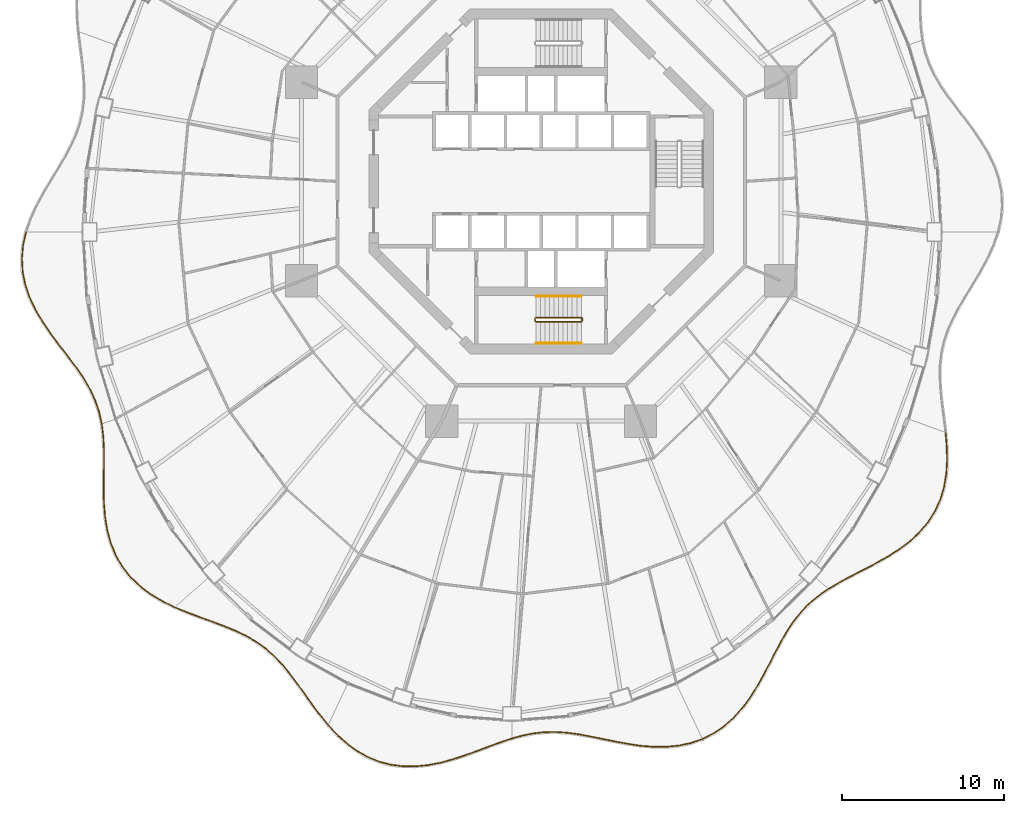
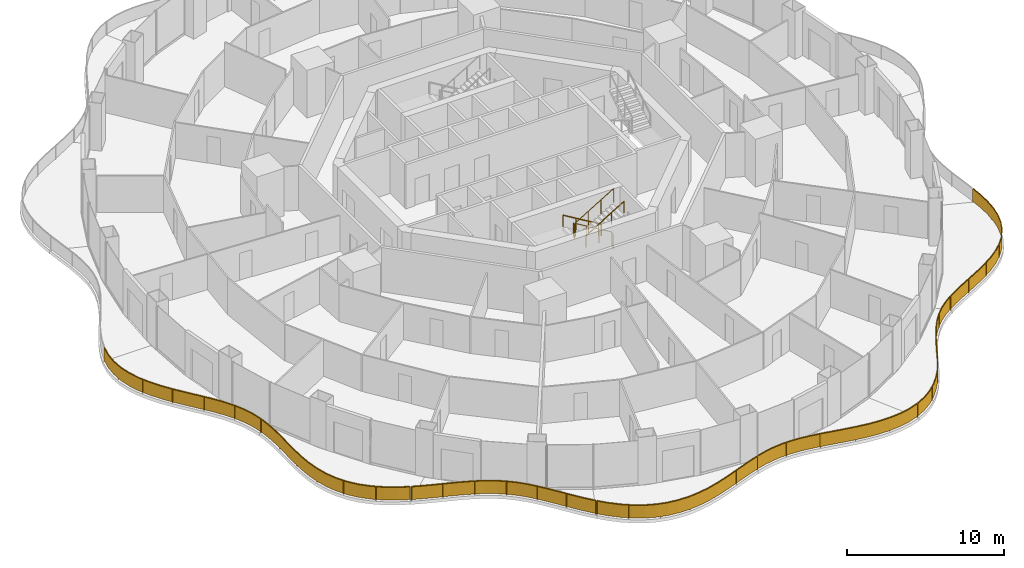
# One storey, part 18 of 20: 10 railings.
"""IFC4 building model written with IfcOpenShell, lengths in metres."""

from ifc_helpers import new_model, si_unit, direction, frame, origin, origin_2d, place, context, subcontext, project, spatial, polyline, rectangle, circle, outline, extrude, material, type_object, element, save


model = new_model("IFC4")

# Units and contexts
model_context = context("Model", 3, precision=1e-05, world=origin(), true_north=direction((0.0, 1.0)))
body_context = subcontext(model_context, "Body", "Model", "MODEL_VIEW")
ifc_project = project(units=[si_unit("LENGTHUNIT", "METRE"), si_unit("AREAUNIT", "SQUARE_METRE"), si_unit("VOLUMEUNIT", "CUBIC_METRE"), si_unit("PLANEANGLEUNIT", "RADIAN"), si_unit("MASSUNIT", "GRAM", prefix="KILO")], contexts=[model_context])

# Site, building, storey
site_placement = place(None, origin())
site = spatial("IfcSite", under=ifc_project, at=site_placement, CompositionType="ELEMENT")
building_placement = place(site_placement, origin())
building = spatial("IfcBuilding", under=site, at=building_placement, Name="Nagisa Residences", CompositionType="ELEMENT")
storey_placement = place(building_placement, frame((0.0, 0.0, 145.5)))
storey = spatial("IfcBuildingStorey", under=building, at=storey_placement, Name="L36", CompositionType="ELEMENT", Elevation=145.5)

# Railings
ifc_material_1 = material(Name="Stainless steel 316", Category="steel")
railing_type_1 = type_object("IfcRailingType", Name="BALCONY GUARD 1100", PredefinedType="BALUSTRADE", material=ifc_material_1)
railing_1_placement = place(storey_placement, frame((-31.771728515625, -3.155517578125, 0.0)))
element("IfcRailing", 1, at=railing_1_placement, inside=storey, type_object=railing_type_1, Name="guard:L36:bal08-0", PredefinedType="BALUSTRADE", context=body_context, shape_type="SweptSolid", body=[
    extrude(outline(polyline([(-0.1494140625, -0.776123046875), (0.0244140625, -0.005615234375), (-0.0244140625, 0.005615234375), (-0.19921875, -0.768310546875), (-0.271484375, -1.5927734375), (-0.22607421875, -2.414306640625), (-0.0634765625, -3.22607421875), (0.208740234375, -4.021728515625), (0.575439453125, -4.78271484375), (1.02001953125, -5.533935546875), (1.51806640625, -6.260986328125), (2.04345703125, -6.966064453125), (2.57080078125, -7.6533203125), (3.0712890625, -8.3154296875), (3.52978515625, -8.98779296875), (3.92578125, -9.665283203125), (4.24755859375, -10.3564453125), (4.490234375, -11.070068359375), (4.646484375, -11.77197265625), (4.6953125, -11.76123046875), (4.53857421875, -11.056396484375), (4.2939453125, -10.337890625), (3.97021484375, -9.641845703125), (3.572265625, -8.9609375), (3.11181640625, -8.2861328125), (2.61083984375, -7.623046875), (2.08349609375, -6.935791015625), (1.55859375, -6.231689453125), (1.06201171875, -5.507080078125), (0.619384765625, -4.75927734375), (0.255126953125, -4.002685546875), (-0.01513671875, -3.212890625), (-0.17626953125, -2.407958984375), (-0.22119140625, -1.59375), (-0.1494140625, -0.776123046875)])), frame((0.0, 0.0, 1.050048828125)), (0.0, 0.0, 1.0), 0.050048828125),
    extrude(outline(polyline([(-0.16748046875, -0.773193359375), (0.0068359375, -0.00146484375), (-0.0068359375, 0.00146484375), (-0.18115234375, -0.771240234375), (-0.25341796875, -1.59326171875), (-0.208251953125, -2.412109375), (-0.046142578125, -3.22119140625), (0.225341796875, -4.014892578125), (0.59130859375, -4.7744140625), (1.03515625, -5.524169921875), (1.53271484375, -6.25048828125), (2.057861328125, -6.955078125), (2.585205078125, -7.642333984375), (3.0859375, -8.304931640625), (3.545166015625, -8.97802734375), (3.94189453125, -9.65673828125), (4.26416015625, -10.349853515625), (4.507568359375, -11.065185546875), (4.6640625, -11.76806640625), (4.677734375, -11.76513671875), (4.521240234375, -11.061279296875), (4.27734375, -10.344482421875), (3.9541015625, -9.650390625), (3.556884765625, -8.970703125), (3.09716796875, -8.296630859375), (2.596435546875, -7.634033203125), (2.069091796875, -6.94677734375), (1.5439453125, -6.2421875), (1.046875, -5.516845703125), (0.603515625, -4.767578125), (0.238525390625, -4.009521484375), (-0.032470703125, -3.2177734375), (-0.194091796875, -2.41015625), (-0.2392578125, -1.59326171875), (-0.16748046875, -0.773193359375)])), frame((0.0, 0.0, 0.06005859375)), (0.0, 0.0, 1.0), 0.989990234375),
    extrude(rectangle(XDim=0.0400390625, YDim=0.0400390625, at=origin_2d()), origin(), (0.0, 0.0, 1.0), 1.050048828125),
    extrude(rectangle(XDim=0.0400390625, YDim=0.0400390625, at=origin_2d()), frame((-0.21484375, -2.16162109375, 0.0)), (0.0, 0.0, 1.0), 1.050048828125),
    extrude(rectangle(XDim=0.0400390625, YDim=0.0400390625, at=origin_2d()), frame((0.350341796875, -4.2578125, 0.0)), (0.0, 0.0, 1.0), 1.050048828125),
    extrude(rectangle(XDim=0.0400390625, YDim=0.0400390625, at=origin_2d()), frame((1.4619140625, -6.134765625, 0.0)), (0.0, 0.0, 1.0), 1.050048828125),
    extrude(rectangle(XDim=0.0400390625, YDim=0.0400390625, at=origin_2d()), frame((2.7744140625, -7.881103515625, 0.0)), (0.0, 0.0, 1.0), 1.050048828125),
    extrude(rectangle(XDim=0.0400390625, YDim=0.0400390625, at=origin_2d()), frame((3.971923828125, -9.705322265625, 0.0)), (0.0, 0.0, 1.0), 1.050048828125),
    extrude(rectangle(XDim=0.0400390625, YDim=0.0400390625, at=origin_2d()), frame((4.6708984375, -11.7666015625, 0.0)), (0.0, 0.0, 1.0), 1.050048828125),
])
railing_2_placement = place(storey_placement, frame((-27.090576171875, -14.991455078125, 0.0)))
element("IfcRailing", 2, at=railing_2_placement, inside=storey, type_object=railing_type_1, Name="guard:L36:bal09-0", PredefinedType="BALUSTRADE", context=body_context, shape_type="SweptSolid", body=[
    extrude(outline(polyline([(0.11279296875, -0.7080078125), (0.02490234375, 0.003173828125), (-0.02490234375, -0.003173828125), (0.06298828125, -0.71240234375), (0.103515625, -1.493896484375), (0.107666015625, -2.30517578125), (0.09619140625, -3.140625), (0.08984375, -3.99267578125), (0.104736328125, -4.837890625), (0.1748046875, -5.690673828125), (0.3115234375, -6.52392578125), (0.52978515625, -7.3251953125), (0.83935546875, -8.08154296875), (1.23681640625, -8.771240234375), (1.73583984375, -9.40771484375), (2.323974609375, -9.977294921875), (2.9892578125, -10.47802734375), (3.716552734375, -10.914306640625), (4.447998046875, -11.2705078125), (4.469970703125, -11.2255859375), (3.740478515625, -10.870361328125), (3.01708984375, -10.4365234375), (2.356689453125, -9.939208984375), (1.77294921875, -9.3740234375), (1.2783203125, -8.742919921875), (0.88427734375, -8.0595703125), (0.5771484375, -7.30908203125), (0.3603515625, -6.51318359375), (0.224609375, -5.684326171875), (0.154541015625, -4.83544921875), (0.14013671875, -3.9921875), (0.14599609375, -3.14111328125), (0.157958984375, -2.30517578125), (0.1533203125, -1.492431640625), (0.11279296875, -0.7080078125)])), frame((0.0, 0.0, 1.050048828125)), (0.0, 0.0, 1.0), 0.050048828125),
    extrude(outline(polyline([(0.094970703125, -0.70947265625), (0.0068359375, 0.0009765625), (-0.0068359375, -0.0009765625), (0.080810546875, -0.7109375), (0.121337890625, -1.493408203125), (0.125732421875, -2.30517578125), (0.114013671875, -3.140869140625), (0.10791015625, -3.992431640625), (0.12255859375, -4.8369140625), (0.19287109375, -5.6884765625), (0.3291015625, -6.52001953125), (0.546875, -7.3193359375), (0.85546875, -8.07373046875), (1.251708984375, -8.760986328125), (1.749267578125, -9.3955078125), (2.335693359375, -9.963623046875), (2.999267578125, -10.463134765625), (3.72509765625, -10.8984375), (4.455810546875, -11.25439453125), (4.462158203125, -11.24169921875), (3.73193359375, -10.88623046875), (3.007080078125, -10.451416015625), (2.344970703125, -9.952880859375), (1.759521484375, -9.38623046875), (1.263427734375, -8.753173828125), (0.8681640625, -8.0673828125), (0.56005859375, -7.31494140625), (0.3427734375, -6.51708984375), (0.20654296875, -5.6865234375), (0.13671875, -4.83642578125), (0.1220703125, -3.992431640625), (0.128173828125, -3.140869140625), (0.139892578125, -2.30517578125), (0.135498046875, -1.492919921875), (0.094970703125, -0.70947265625)])), frame((0.0, 0.0, 0.06005859375)), (0.0, 0.0, 1.0), 0.989990234375),
    extrude(rectangle(XDim=0.0400390625, YDim=0.0400390625, at=origin_2d()), origin(), (0.0, 0.0, 1.0), 1.050048828125),
    extrude(rectangle(XDim=0.0400390625, YDim=0.0400390625, at=origin_2d()), frame((0.132080078125, -2.173828125, 0.0)), (0.0, 0.0, 1.0), 1.050048828125),
    extrude(rectangle(XDim=0.0400390625, YDim=0.0400390625, at=origin_2d()), frame((0.121337890625, -4.354248046875, 0.0)), (0.0, 0.0, 1.0), 1.050048828125),
    extrude(rectangle(XDim=0.0400390625, YDim=0.0400390625, at=origin_2d()), frame((0.33642578125, -6.5205078125, 0.0)), (0.0, 0.0, 1.0), 1.050048828125),
    extrude(rectangle(XDim=0.0400390625, YDim=0.0400390625, at=origin_2d()), frame((1.1318359375, -8.538818359375, 0.0)), (0.0, 0.0, 1.0), 1.050048828125),
    extrude(rectangle(XDim=0.0400390625, YDim=0.0400390625, at=origin_2d()), frame((2.586181640625, -10.143310546875, 0.0)), (0.0, 0.0, 1.0), 1.050048828125),
    extrude(rectangle(XDim=0.0400390625, YDim=0.0400390625, at=origin_2d()), frame((4.458984375, -11.248046875, 0.0)), (0.0, 0.0, 1.0), 1.050048828125),
])
railing_3_placement = place(storey_placement, frame((-22.560791015625, -26.270263671875, 0.0)))
element("IfcRailing", 3, at=railing_3_placement, inside=storey, type_object=railing_type_1, Name="guard:L36:bal10-0", PredefinedType="BALUSTRADE", context=body_context, shape_type="SweptSolid", body=[
    extrude(outline(polyline([(0.726806640625, -0.274658203125), (0.009521484375, 0.023193359375), (-0.009521484375, -0.023193359375), (0.708251953125, -0.321044921875), (1.474609375, -0.610107421875), (2.232421875, -0.884033203125), (2.967529296875, -1.15771484375), (3.66943359375, -1.446044921875), (4.318359375, -1.751953125), (4.93505859375, -2.1083984375), (5.50732421875, -2.513671875), (6.0390625, -2.972900390625), (6.537353515625, -3.4873046875), (6.997802734375, -4.045166015625), (7.458984375, -4.65673828125), (7.919921875, -5.301513671875), (8.3916015625, -5.96435546875), (8.88623046875, -6.627685546875), (9.380859375, -7.2373046875), (9.419921875, -7.20556640625), (8.92578125, -6.596923828125), (8.43212890625, -5.93505859375), (7.96044921875, -5.272216796875), (7.49951171875, -4.626953125), (7.036865234375, -4.013916015625), (6.574462890625, -3.4541015625), (6.0732421875, -2.936279296875), (5.5380859375, -2.47412109375), (4.9619140625, -2.06640625), (4.341796875, -1.70751953125), (3.689453125, -1.400146484375), (2.985595703125, -1.111328125), (2.24951171875, -0.837158203125), (1.4921875, -0.563232421875), (0.726806640625, -0.274658203125)])), frame((0.0, 0.0, 1.050048828125)), (0.0, 0.0, 1.0), 0.050048828125),
    extrude(outline(polyline([(0.72021484375, -0.291259765625), (0.002685546875, 0.00634765625), (-0.002685546875, -0.00634765625), (0.71484375, -0.304443359375), (1.48095703125, -0.59326171875), (2.238525390625, -0.8671875), (2.97412109375, -1.14111328125), (3.676513671875, -1.429443359375), (4.326904296875, -1.73583984375), (4.94482421875, -2.09326171875), (5.518310546875, -2.49951171875), (6.05126953125, -2.959716796875), (6.55078125, -3.475341796875), (7.01171875, -4.033935546875), (7.4736328125, -4.64599609375), (7.9345703125, -5.291015625), (8.40625, -5.953857421875), (8.900390625, -6.61669921875), (9.39501953125, -7.225830078125), (9.40576171875, -7.217041015625), (8.91162109375, -6.60791015625), (8.41748046875, -5.945556640625), (7.94580078125, -5.28271484375), (7.48486328125, -4.6376953125), (7.02294921875, -4.025146484375), (6.56103515625, -3.466064453125), (6.06103515625, -2.949462890625), (5.527099609375, -2.48828125), (4.9521484375, -2.08154296875), (4.333251953125, -1.7236328125), (3.682373046875, -1.416748046875), (2.97900390625, -1.1279296875), (2.243408203125, -0.85400390625), (1.48583984375, -0.580078125), (0.72021484375, -0.291259765625)])), frame((0.0, 0.0, 0.06005859375)), (0.0, 0.0, 1.0), 0.989990234375),
    extrude(rectangle(XDim=0.0400390625, YDim=0.0400390625, at=origin_2d()), origin(), (0.0, 0.0, 1.0), 1.050048828125),
    extrude(rectangle(XDim=0.0400390625, YDim=0.0400390625, at=origin_2d()), frame((1.897705078125, -0.736328125, 0.0)), (0.0, 0.0, 1.0), 1.050048828125),
    extrude(rectangle(XDim=0.0400390625, YDim=0.0400390625, at=origin_2d()), frame((3.79345703125, -1.476806640625, 0.0)), (0.0, 0.0, 1.0), 1.050048828125),
    extrude(rectangle(XDim=0.0400390625, YDim=0.0400390625, at=origin_2d()), frame((5.54150390625, -2.510009765625, 0.0)), (0.0, 0.0, 1.0), 1.050048828125),
    extrude(rectangle(XDim=0.0400390625, YDim=0.0400390625, at=origin_2d()), frame((6.961669921875, -3.962158203125, 0.0)), (0.0, 0.0, 1.0), 1.050048828125),
    extrude(rectangle(XDim=0.0400390625, YDim=0.0400390625, at=origin_2d()), frame((8.16552734375, -5.603515625, 0.0)), (0.0, 0.0, 1.0), 1.050048828125),
    extrude(rectangle(XDim=0.0400390625, YDim=0.0400390625, at=origin_2d()), frame((9.400390625, -7.221435546875, 0.0)), (0.0, 0.0, 1.0), 1.050048828125),
])
railing_4_placement = place(storey_placement, frame((-13.110595703125, -33.55078125, 0.0)))
element("IfcRailing", 4, at=railing_4_placement, inside=storey, type_object=railing_type_1, Name="guard:L36:bal11-0", PredefinedType="BALUSTRADE", context=body_context, shape_type="SweptSolid", body=[
    extrude(outline(polyline([(0.527587890625, -0.53369140625), (0.018310546875, 0.01708984375), (-0.018310546875, -0.01708984375), (0.492431640625, -0.5693359375), (1.078125, -1.101318359375), (1.706298828125, -1.5654296875), (2.375732421875, -1.948486328125), (3.08251953125, -2.2412109375), (3.8046875, -2.433349609375), (4.567626953125, -2.53369140625), (5.346923828125, -2.54150390625), (6.1337890625, -2.464111328125), (6.919921875, -2.313232421875), (7.680908203125, -2.101806640625), (8.445556640625, -1.8525390625), (9.193603515625, -1.580810546875), (9.922607421875, -1.30615234375), (10.6328125, -1.046630859375), (11.284423828125, -0.830322265625), (11.268798828125, -0.782958984375), (10.6162109375, -0.999267578125), (9.905029296875, -1.25927734375), (9.176025390625, -1.533935546875), (8.429443359375, -1.80517578125), (7.666259765625, -2.053955078125), (6.90869140625, -2.264404296875), (6.12646484375, -2.414306640625), (5.344482421875, -2.4912109375), (4.571044921875, -2.48388671875), (3.814453125, -2.384033203125), (3.0986328125, -2.19384765625), (2.397705078125, -1.903564453125), (1.733642578125, -1.5234375), (1.10986328125, -1.062744140625), (0.527587890625, -0.53369140625)])), frame((0.0, 0.0, 1.050048828125)), (0.0, 0.0, 1.0), 0.050048828125),
    extrude(outline(polyline([(0.514892578125, -0.546630859375), (0.005126953125, 0.004638671875), (-0.005126953125, -0.004638671875), (0.505126953125, -0.556396484375), (1.089599609375, -1.08740234375), (1.716064453125, -1.55029296875), (2.383544921875, -1.932373046875), (3.08837890625, -2.22412109375), (3.80810546875, -2.41552734375), (4.56884765625, -2.515869140625), (5.345947265625, -2.5234375), (6.131103515625, -2.446044921875), (6.916015625, -2.295654296875), (7.675537109375, -2.08447265625), (8.439697265625, -1.83544921875), (9.187255859375, -1.56396484375), (9.916259765625, -1.289306640625), (10.626708984375, -1.029541015625), (11.27880859375, -0.813232421875), (11.2744140625, -0.800048828125), (10.622314453125, -1.016357421875), (9.911376953125, -1.276123046875), (9.182373046875, -1.55078125), (8.435302734375, -1.822265625), (7.671630859375, -2.0712890625), (6.91259765625, -2.281982421875), (6.129150390625, -2.432373046875), (5.345458984375, -2.50927734375), (4.56982421875, -2.501708984375), (3.81103515625, -2.40185546875), (3.0927734375, -2.2109375), (2.389892578125, -1.919677734375), (1.723876953125, -1.53857421875), (1.098388671875, -1.07666015625), (0.514892578125, -0.546630859375)])), frame((0.0, 0.0, 0.06005859375)), (0.0, 0.0, 1.0), 0.989990234375),
    extrude(rectangle(XDim=0.0400390625, YDim=0.0400390625, at=origin_2d()), origin(), (0.0, 0.0, 1.0), 1.050048828125),
    extrude(rectangle(XDim=0.0400390625, YDim=0.0400390625, at=origin_2d()), frame((1.50830078125, -1.387939453125, 0.0)), (0.0, 0.0, 1.0), 1.050048828125),
    extrude(rectangle(XDim=0.0400390625, YDim=0.0400390625, at=origin_2d()), frame((3.34375, -2.284912109375, 0.0)), (0.0, 0.0, 1.0), 1.050048828125),
    extrude(rectangle(XDim=0.0400390625, YDim=0.0400390625, at=origin_2d()), frame((5.3759765625, -2.513427734375, 0.0)), (0.0, 0.0, 1.0), 1.050048828125),
    extrude(rectangle(XDim=0.0400390625, YDim=0.0400390625, at=origin_2d()), frame((7.39501953125, -2.1552734375, 0.0)), (0.0, 0.0, 1.0), 1.050048828125),
    extrude(rectangle(XDim=0.0400390625, YDim=0.0400390625, at=origin_2d()), frame((9.341552734375, -1.498291015625, 0.0)), (0.0, 0.0, 1.0), 1.050048828125),
    extrude(rectangle(XDim=0.0400390625, YDim=0.0400390625, at=origin_2d()), frame((11.276611328125, -0.806640625, 0.0)), (0.0, 0.0, 1.0), 1.050048828125),
])
railing_5_placement = place(storey_placement, frame((-1.765380859375, -34.33447265625, 0.0)))
element("IfcRailing", 5, at=railing_5_placement, inside=storey, type_object=railing_type_1, Name="guard:L36:bal12-0", PredefinedType="BALUSTRADE", context=body_context, shape_type="SweptSolid", body=[
    extrude(outline(polyline([(0.63427734375, 0.1982421875), (-0.006591796875, 0.024169921875), (0.006591796875, -0.024169921875), (0.6455078125, 0.1494140625), (1.320556640625, 0.27978515625), (1.995361328125, 0.350830078125), (2.676025390625, 0.361572265625), (3.368896484375, 0.31640625), (4.060546875, 0.2197265625), (4.7900390625, 0.0888671875), (5.539794921875, -0.06396484375), (6.309326171875, -0.222412109375), (7.09521484375, -0.367431640625), (7.875, -0.486328125), (8.675048828125, -0.551513671875), (9.469482421875, -0.55322265625), (10.2490234375, -0.47802734375), (11.00390625, -0.318115234375), (11.67919921875, -0.08447265625), (11.66259765625, -0.037109375), (10.99072265625, -0.269775390625), (10.2412109375, -0.4287109375), (9.467041015625, -0.5029296875), (8.677001953125, -0.501708984375), (7.880859375, -0.4365234375), (7.103515625, -0.318115234375), (6.319091796875, -0.173095703125), (5.550048828125, -0.01513671875), (4.79931640625, 0.13818359375), (4.068359375, 0.26904296875), (3.373779296875, 0.3662109375), (2.677490234375, 0.411865234375), (1.992431640625, 0.400634765625), (1.313232421875, 0.3291015625), (0.63427734375, 0.1982421875)])), frame((0.0, 0.0, 1.050048828125)), (0.0, 0.0, 1.0), 0.050048828125),
    extrude(outline(polyline([(0.638427734375, 0.1806640625), (-0.001953125, 0.0068359375), (0.001953125, -0.0068359375), (0.641357421875, 0.1669921875), (1.31787109375, 0.297607421875), (1.994384765625, 0.36865234375), (2.676513671875, 0.379638671875), (3.37060546875, 0.334228515625), (4.063232421875, 0.237548828125), (4.79345703125, 0.106689453125), (5.54345703125, -0.04638671875), (6.31298828125, -0.20458984375), (7.09814453125, -0.349609375), (7.877197265625, -0.46826171875), (8.67578125, -0.53369140625), (9.468505859375, -0.53515625), (10.24609375, -0.460205078125), (10.999267578125, -0.30078125), (11.673095703125, -0.0673828125), (11.668701171875, -0.05419921875), (10.995361328125, -0.287109375), (10.244140625, -0.446533203125), (9.468017578125, -0.52099609375), (8.67626953125, -0.51953125), (7.878662109375, -0.45458984375), (7.1005859375, -0.3359375), (6.3154296875, -0.19091796875), (5.54638671875, -0.03271484375), (4.7958984375, 0.120361328125), (4.065673828125, 0.251220703125), (3.3720703125, 0.348388671875), (2.677001953125, 0.393798828125), (1.993408203125, 0.3828125), (1.31591796875, 0.311279296875), (0.638427734375, 0.1806640625)])), frame((0.0, 0.0, 0.06005859375)), (0.0, 0.0, 1.0), 0.989990234375),
    extrude(rectangle(XDim=0.0400390625, YDim=0.0400390625, at=origin_2d()), origin(), (0.0, 0.0, 1.0), 1.050048828125),
    extrude(rectangle(XDim=0.0400390625, YDim=0.0400390625, at=origin_2d()), frame((2.329833984375, 0.381103515625, 0.0)), (0.0, 0.0, 1.0), 1.050048828125),
    extrude(rectangle(XDim=0.0400390625, YDim=0.0400390625, at=origin_2d()), frame((4.680908203125, 0.1337890625, 0.0)), (0.0, 0.0, 1.0), 1.050048828125),
    extrude(rectangle(XDim=0.0400390625, YDim=0.0400390625, at=origin_2d()), frame((7.005126953125, -0.325439453125, 0.0)), (0.0, 0.0, 1.0), 1.050048828125),
    extrude(rectangle(XDim=0.0400390625, YDim=0.0400390625, at=origin_2d()), frame((9.361083984375, -0.52783203125, 0.0)), (0.0, 0.0, 1.0), 1.050048828125),
    extrude(rectangle(XDim=0.0400390625, YDim=0.0400390625, at=origin_2d()), frame((11.6708984375, -0.060791015625, 0.0)), (0.0, 0.0, 1.0), 1.050048828125),
])
railing_6_placement = place(storey_placement, frame((9.976806640625, -34.365234375, 0.0)))
element("IfcRailing", 6, at=railing_6_placement, inside=storey, type_object=railing_type_1, Name="guard:L36:bal13-0", PredefinedType="BALUSTRADE", context=body_context, shape_type="SweptSolid", body=[
    extrude(outline(polyline([(0.646240234375, 0.35400390625), (-0.01123046875, 0.0224609375), (0.01123046875, -0.0224609375), (0.671630859375, 0.31103515625), (1.324462890625, 0.759765625), (1.922119140625, 1.293212890625), (2.4638671875, 1.89892578125), (2.95166015625, 2.560791015625), (3.380615234375, 3.25341796875), (3.784912109375, 3.97509765625), (4.163330078125, 4.699951171875), (4.529052734375, 5.410888671875), (4.895751953125, 6.093505859375), (5.265380859375, 6.72607421875), (5.67431640625, 7.322021484375), (6.12158203125, 7.86767578125), (6.61474609375, 8.363037109375), (7.158203125, 8.81298828125), (7.717529296875, 9.19970703125), (7.689208984375, 9.24072265625), (7.1279296875, 8.85302734375), (6.5810546875, 8.400146484375), (6.08447265625, 7.9013671875), (5.63427734375, 7.352294921875), (5.222900390625, 6.7529296875), (4.852294921875, 6.117919921875), (4.484619140625, 5.434326171875), (4.118896484375, 4.722900390625), (3.740966796875, 3.9990234375), (3.337646484375, 3.27880859375), (2.91015625, 2.588623046875), (2.4248046875, 1.9306640625), (1.886474609375, 1.328857421875), (1.293701171875, 0.79931640625), (0.646240234375, 0.35400390625)])), frame((0.0, 0.0, 1.050048828125)), (0.0, 0.0, 1.0), 0.050048828125),
    extrude(outline(polyline([(0.6552734375, 0.338623046875), (-0.003173828125, 0.00634765625), (0.003173828125, -0.00634765625), (0.66259765625, 0.326416015625), (1.3134765625, 0.77392578125), (1.9091796875, 1.30615234375), (2.44970703125, 1.910400390625), (2.936767578125, 2.57080078125), (3.365234375, 3.262451171875), (3.76904296875, 3.983642578125), (4.147216796875, 4.708251953125), (4.512939453125, 5.41943359375), (4.880126953125, 6.102294921875), (5.25, 6.73583984375), (5.659912109375, 7.3330078125), (6.108154296875, 7.8798828125), (6.6025390625, 8.37646484375), (7.147216796875, 8.827392578125), (7.707275390625, 9.21435546875), (7.699462890625, 9.22607421875), (7.138916015625, 8.838623046875), (6.59326171875, 8.38671875), (6.097900390625, 7.88916015625), (5.648681640625, 7.34130859375), (5.23828125, 6.7431640625), (4.867919921875, 6.109130859375), (4.500732421875, 5.42578125), (4.135009765625, 4.714599609375), (3.7568359375, 3.990478515625), (3.35302734375, 3.269775390625), (2.925048828125, 2.57861328125), (2.43896484375, 1.919189453125), (1.8994140625, 1.31591796875), (1.3046875, 0.78515625), (0.6552734375, 0.338623046875)])), frame((0.0, 0.0, 0.06005859375)), (0.0, 0.0, 1.0), 0.989990234375),
    extrude(rectangle(XDim=0.0400390625, YDim=0.0400390625, at=origin_2d()), origin(), (0.0, 0.0, 1.0), 1.050048828125),
    extrude(rectangle(XDim=0.0400390625, YDim=0.0400390625, at=origin_2d()), frame((1.692138671875, 1.12158203125, 0.0)), (0.0, 0.0, 1.0), 1.050048828125),
    extrude(rectangle(XDim=0.0400390625, YDim=0.0400390625, at=origin_2d()), frame((2.997314453125, 2.68212890625, 0.0)), (0.0, 0.0, 1.0), 1.050048828125),
    extrude(rectangle(XDim=0.0400390625, YDim=0.0400390625, at=origin_2d()), frame((4.007080078125, 4.45458984375, 0.0)), (0.0, 0.0, 1.0), 1.050048828125),
    extrude(rectangle(XDim=0.0400390625, YDim=0.0400390625, at=origin_2d()), frame((4.962646484375, 6.25732421875, 0.0)), (0.0, 0.0, 1.0), 1.050048828125),
    extrude(rectangle(XDim=0.0400390625, YDim=0.0400390625, at=origin_2d()), frame((6.137939453125, 7.919677734375, 0.0)), (0.0, 0.0, 1.0), 1.050048828125),
    extrude(rectangle(XDim=0.0400390625, YDim=0.0400390625, at=origin_2d()), frame((7.703369140625, 9.22021484375, 0.0)), (0.0, 0.0, 1.0), 1.050048828125),
])
railing_7_placement = place(storey_placement, frame((17.741943359375, -25.10791015625, 0.0)))
element("IfcRailing", 7, at=railing_7_placement, inside=storey, type_object=railing_type_1, Name="guard:L36:bal14-0", PredefinedType="BALUSTRADE", context=body_context, shape_type="SweptSolid", body=[
    extrude(outline(polyline([(0.6259765625, 0.40087890625), (-0.0126953125, 0.021484375), (0.0126953125, -0.021484375), (0.650390625, 0.357421875), (1.366943359375, 0.741943359375), (2.1123046875, 1.12451171875), (2.869873046875, 1.520263671875), (3.6201171875, 1.943359375), (4.333740234375, 2.3935546875), (5.00830078125, 2.9052734375), (5.61572265625, 3.47216796875), (6.141357421875, 4.09716796875), (6.572509765625, 4.779296875), (6.897216796875, 5.500244140625), (7.12744140625, 6.279541015625), (7.261474609375, 7.09375), (7.310302734375, 7.932373046875), (7.288818359375, 8.7841796875), (7.218017578125, 9.592529296875), (7.168212890625, 9.588134765625), (7.239013671875, 8.78125), (7.260009765625, 7.933349609375), (7.211669921875, 7.09912109375), (7.07861328125, 6.290771484375), (6.850341796875, 5.517822265625), (6.528564453125, 4.80322265625), (6.100830078125, 4.126953125), (5.57958984375, 3.5068359375), (4.97607421875, 2.943359375), (4.305419921875, 2.4345703125), (3.59423828125, 1.986328125), (2.845947265625, 1.564208984375), (2.08935546875, 1.1689453125), (1.343505859375, 0.786376953125), (0.6259765625, 0.40087890625)])), frame((0.0, 0.0, 1.050048828125)), (0.0, 0.0, 1.0), 0.050048828125),
    extrude(outline(polyline([(0.634765625, 0.38525390625), (-0.003662109375, 0.006103515625), (0.003662109375, -0.006103515625), (0.6416015625, 0.373046875), (1.3583984375, 0.758056640625), (2.10400390625, 1.140625), (2.861328125, 1.5361328125), (3.61083984375, 1.958740234375), (4.323486328125, 2.408203125), (4.99658203125, 2.9189453125), (5.602783203125, 3.484619140625), (6.126708984375, 4.10791015625), (6.556640625, 4.787841796875), (6.88037109375, 5.506591796875), (7.10986328125, 6.28369140625), (7.24365234375, 7.095703125), (7.292236328125, 7.932861328125), (7.27099609375, 8.783203125), (7.2001953125, 9.591064453125), (7.18603515625, 9.589599609375), (7.2568359375, 8.7822265625), (7.278076171875, 7.932861328125), (7.2294921875, 7.09716796875), (7.09619140625, 6.28662109375), (6.8671875, 5.511474609375), (6.54443359375, 4.794677734375), (6.115478515625, 4.1162109375), (5.592529296875, 3.494384765625), (4.98779296875, 2.9296875), (4.315673828125, 2.419921875), (3.603515625, 1.970947265625), (2.8544921875, 1.54833984375), (2.09765625, 1.15283203125), (1.35205078125, 0.770263671875), (0.634765625, 0.38525390625)])), frame((0.0, 0.0, 0.06005859375)), (0.0, 0.0, 1.0), 0.989990234375),
    extrude(rectangle(XDim=0.0400390625, YDim=0.0400390625, at=origin_2d()), origin(), (0.0, 0.0, 1.0), 1.050048828125),
    extrude(rectangle(XDim=0.0400390625, YDim=0.0400390625, at=origin_2d()), frame((1.921875, 1.054931640625, 0.0)), (0.0, 0.0, 1.0), 1.050048828125),
    extrude(rectangle(XDim=0.0400390625, YDim=0.0400390625, at=origin_2d()), frame((3.841796875, 2.11279296875, 0.0)), (0.0, 0.0, 1.0), 1.050048828125),
    extrude(rectangle(XDim=0.0400390625, YDim=0.0400390625, at=origin_2d()), frame((5.565185546875, 3.459228515625, 0.0)), (0.0, 0.0, 1.0), 1.050048828125),
    extrude(rectangle(XDim=0.0400390625, YDim=0.0400390625, at=origin_2d()), frame((6.768798828125, 5.27587890625, 0.0)), (0.0, 0.0, 1.0), 1.050048828125),
    extrude(rectangle(XDim=0.0400390625, YDim=0.0400390625, at=origin_2d()), frame((7.25439453125, 7.401611328125, 0.0)), (0.0, 0.0, 1.0), 1.050048828125),
    extrude(rectangle(XDim=0.0400390625, YDim=0.0400390625, at=origin_2d()), frame((7.193115234375, 9.59033203125, 0.0)), (0.0, 0.0, 1.0), 1.050048828125),
])
ifc_material_2 = material(Name="Stainless steel", Category="steel")
railing_type_2 = type_object("IfcRailingType", Name="Stair guard 1100", PredefinedType="GUARDRAIL", material=ifc_material_2)
railing_8_placement = place(storey_placement, frame((2.52490234375, -8.599609375, 0.0)))
element("IfcRailing", 8, at=railing_8_placement, inside=storey, type_object=railing_type_2, Name="L36 ST-S stair guard 1", PredefinedType="GUARDRAIL", context=body_context, shape_type="SweptSolid", body=[
    extrude(circle(Radius=0.02392578125, at=origin_2d()), frame((0.0, 0.0, 1.076171875), z_axis=(0.0, 1.0, 0.0), x_axis=(-1.0, 0.0, 0.0)), (0.0, 0.0, 1.0), 0.14990234375),
    extrude(circle(Radius=0.02392578125, at=origin_2d()), frame((0.0, 0.14990234375, 1.076171875), z_axis=(-0.273006030465, 0.27434429532, 0.922064485248), x_axis=(-0.708833529934, -0.705375805398, 0.0)), (0.0, 0.0, 1.0), 0.182373046875),
    extrude(circle(Radius=0.02392578125, at=origin_2d()), frame((-0.0498046875, 0.199951171875, 1.244140625), z_axis=(-0.857242210791, 0.0, 0.514913383045), x_axis=(0.0, -1.0, 0.0)), (0.0, 0.0, 1.0), 3.266357421875),
    extrude(circle(Radius=0.02392578125, at=origin_2d()), frame((-2.849853515625, 0.199951171875, 2.92626953125), z_axis=(-0.707106781187, -0.707106781187, 0.0), x_axis=(0.707106781187, -0.707106781187, 0.0)), (0.0, 0.0, 1.0), 0.07080078125),
    extrude(circle(Radius=0.02392578125, at=origin_2d()), frame((-2.89990234375, 0.14990234375, 2.92626953125), z_axis=(0.0, -1.0, 0.0), x_axis=(1.0, 0.0, 0.0)), (0.0, 0.0, 1.0), 0.14990234375),
    extrude(circle(Radius=0.02392578125, at=origin_2d()), frame((-2.89990234375, 0.0, 2.92626953125), z_axis=(0.274582412415, -0.274582412415, 0.921525364591), x_axis=(0.707106781187, 0.707106781187, 0.0)), (0.0, 0.0, 1.0), 0.182373046875),
    extrude(circle(Radius=0.02392578125, at=origin_2d()), frame((-2.849853515625, -0.050048828125, 3.09423828125), z_axis=(0.857242210791, 0.0, 0.514913383045), x_axis=(0.0, 1.0, 0.0)), (0.0, 0.0, 1.0), 3.266357421875),
    extrude(circle(Radius=0.02099609375, at=origin_2d()), origin(), (0.0, 0.0, 1.0), 1.052001953125),
    extrude(circle(Radius=0.02099609375, at=origin_2d()), frame((0.0, 0.14990234375, 0.0)), (0.0, 0.0, 1.0), 1.052001953125),
    extrude(circle(Radius=0.02099609375, at=origin_2d()), frame((-0.0498046875, 0.199951171875, 0.168212890625)), (0.0, 0.0, 1.0), 1.052001953125),
    extrude(circle(Radius=0.02099609375, at=origin_2d()), frame((-0.983154296875, 0.199951171875, 0.728759765625)), (0.0, 0.0, 1.0), 1.052001953125),
    extrude(circle(Radius=0.02099609375, at=origin_2d()), frame((-1.91650390625, 0.199951171875, 1.28955078125)), (0.0, 0.0, 1.0), 1.052001953125),
    extrude(circle(Radius=0.02099609375, at=origin_2d()), frame((-2.849853515625, 0.199951171875, 1.85009765625)), (0.0, 0.0, 1.0), 1.052001953125),
    extrude(circle(Radius=0.02099609375, at=origin_2d()), frame((-2.89990234375, 0.14990234375, 1.85009765625)), (0.0, 0.0, 1.0), 1.052001953125),
    extrude(circle(Radius=0.02099609375, at=origin_2d()), frame((-2.89990234375, 0.0, 1.85009765625)), (0.0, 0.0, 1.0), 1.052001953125),
    extrude(circle(Radius=0.02099609375, at=origin_2d()), frame((-2.849853515625, -0.050048828125, 2.01806640625)), (0.0, 0.0, 1.0), 1.052001953125),
    extrude(circle(Radius=0.02099609375, at=origin_2d()), frame((-1.91650390625, -0.050048828125, 2.57861328125)), (0.0, 0.0, 1.0), 1.052001953125),
    extrude(circle(Radius=0.02099609375, at=origin_2d()), frame((-0.983154296875, -0.050048828125, 3.139404296875)), (0.0, 0.0, 1.0), 1.052001953125),
    extrude(circle(Radius=0.02099609375, at=origin_2d()), frame((-0.0498046875, -0.050048828125, 3.699951171875)), (0.0, 0.0, 1.0), 1.052001953125),
])
ifc_material_3 = material(Name="Stainless steel", Category="steel")
railing_type_3 = type_object("IfcRailingType", Name="Stair handrail 900", PredefinedType="HANDRAIL", material=ifc_material_3)
railing_9_placement = place(storey_placement, frame((2.47509765625, -7.07470703125, 0.168212890625)))
element("IfcRailing", 9, at=railing_9_placement, inside=storey, type_object=railing_type_3, Name="L36 ST-S stair handrail 1", PredefinedType="HANDRAIL", context=body_context, shape_type="SweptSolid", body=[
    extrude(circle(Radius=0.02392578125, at=origin_2d()), frame((0.0, 0.0, 0.8759765625), z_axis=(-0.857242210791, 0.0, 0.514913383045), x_axis=(0.0, -1.0, 0.0)), (0.0, 0.0, 1.0), 3.266357421875),
    extrude(circle(Radius=0.02099609375, at=origin_2d()), origin(), (0.0, 0.0, 1.0), 0.851806640625),
    extrude(circle(Radius=0.02099609375, at=origin_2d()), frame((-0.933349609375, 0.0, 0.560546875)), (0.0, 0.0, 1.0), 0.851806640625),
    extrude(circle(Radius=0.02099609375, at=origin_2d()), frame((-1.86669921875, 0.0, 1.121337890625)), (0.0, 0.0, 1.0), 0.851806640625),
    extrude(circle(Radius=0.02099609375, at=origin_2d()), frame((-2.800048828125, 0.0, 1.681884765625)), (0.0, 0.0, 1.0), 0.851806640625),
])
railing_10_placement = place(storey_placement, frame((-0.324951171875, -9.974609375, 2.01806640625)))
element("IfcRailing", 10, at=railing_10_placement, inside=storey, type_object=railing_type_3, Name="L36 ST-S stair handrail 2", PredefinedType="HANDRAIL", context=body_context, shape_type="SweptSolid", body=[
    extrude(circle(Radius=0.02392578125, at=origin_2d()), frame((0.0, 0.0, 0.8759765625), z_axis=(0.857242210791, 0.0, 0.514913383045), x_axis=(0.0, 1.0, 0.0)), (0.0, 0.0, 1.0), 3.266357421875),
    extrude(circle(Radius=0.02099609375, at=origin_2d()), origin(), (0.0, 0.0, 1.0), 0.851806640625),
    extrude(circle(Radius=0.02099609375, at=origin_2d()), frame((0.933349609375, 0.0, 0.560546875)), (0.0, 0.0, 1.0), 0.851806640625),
    extrude(circle(Radius=0.02099609375, at=origin_2d()), frame((1.86669921875, 0.0, 1.121337890625)), (0.0, 0.0, 1.0), 0.851806640625),
    extrude(circle(Radius=0.02099609375, at=origin_2d()), frame((2.800048828125, 0.0, 1.681884765625)), (0.0, 0.0, 1.0), 0.851806640625),
])

save(model, "model.ifc")
